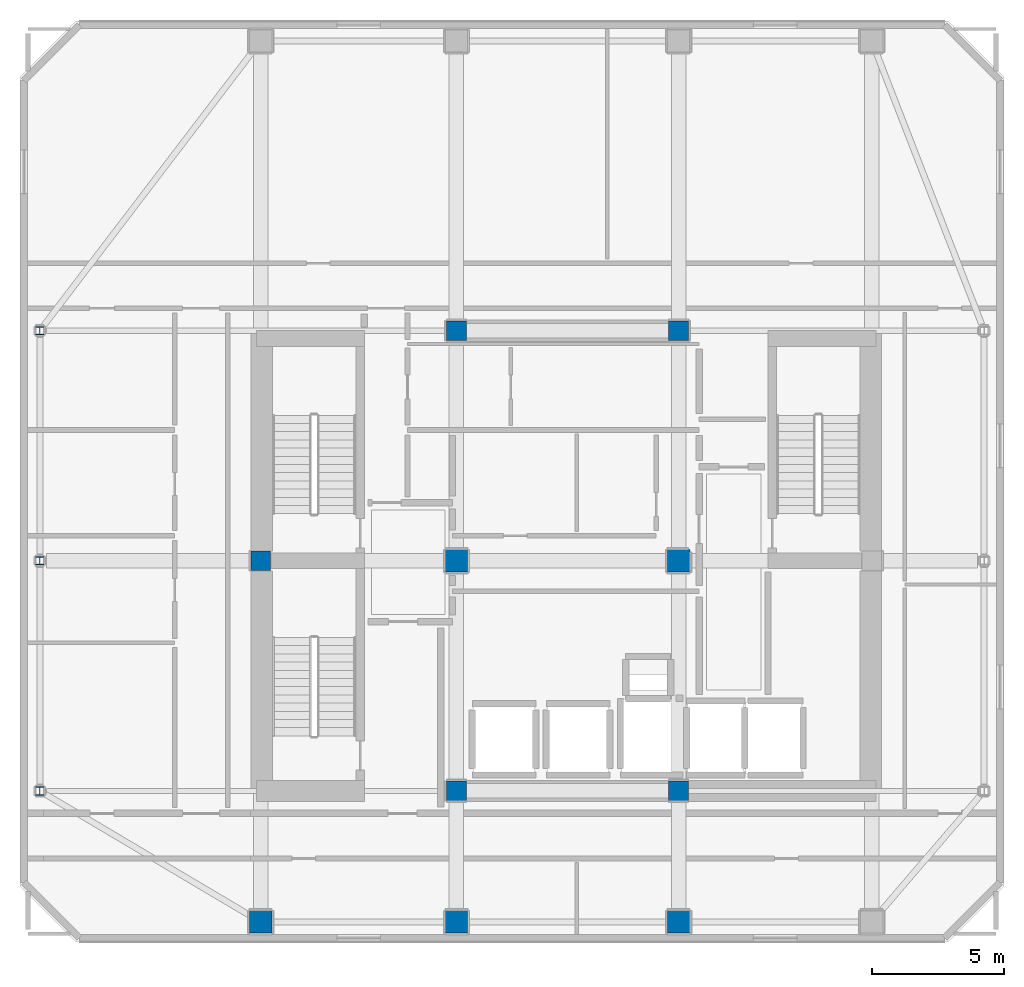
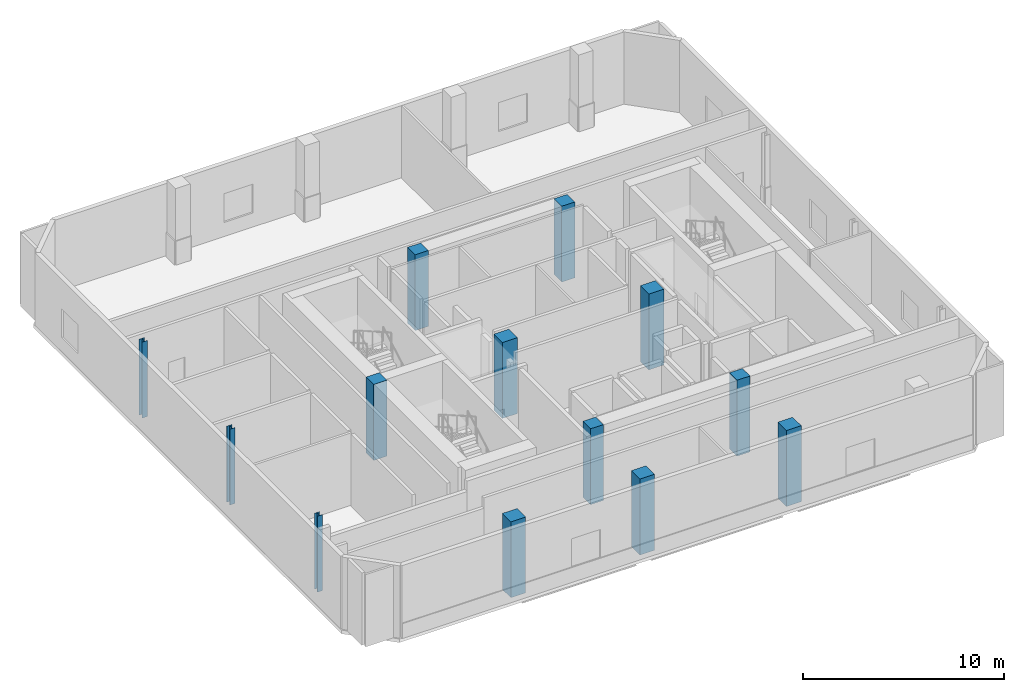
# One storey, part 1 of 10: 13 columns.
"""IFC4 building model written with IfcOpenShell, lengths in metres."""

from ifc_helpers import new_model, si_unit, direction, frame, origin, origin_2d, place, context, subcontext, project, spatial, rectangle, i_section, extrude, material, material_profile, profile_set, type_object, element, save


model = new_model("IFC4")

# Units and contexts
model_context = context("Model", 3, precision=1e-05, world=origin(), true_north=direction((0.0, 1.0)))
body_context = subcontext(model_context, "Body", "Model", "MODEL_VIEW")
ifc_project = project(units=[si_unit("LENGTHUNIT", "METRE"), si_unit("AREAUNIT", "SQUARE_METRE"), si_unit("VOLUMEUNIT", "CUBIC_METRE"), si_unit("PLANEANGLEUNIT", "RADIAN"), si_unit("MASSUNIT", "GRAM", prefix="KILO")], contexts=[model_context])

# Site, building, storey
site_placement = place(None, origin())
site = spatial("IfcSite", under=ifc_project, at=site_placement, CompositionType="ELEMENT")
building_placement = place(site_placement, origin())
building = spatial("IfcBuilding", under=site, at=building_placement, Name="Solanera Arch Residences", CompositionType="ELEMENT")
storey_placement = place(building_placement, frame((0.0, 0.0, 268.8798828125)))
storey = spatial("IfcBuildingStorey", under=building, at=storey_placement, Name="L78", CompositionType="ELEMENT", Elevation=268.8798828125)

# Columns
ifc_material_1 = material(Name="Concrete C40/50 (f'c = 45 MPa)", Category="concrete")
ifc_material_profile_1 = material_profile(ifc_material_1, rectangle(XDim=0.75, YDim=0.75, at=origin_2d()))
ifc_profile_set_1 = profile_set([ifc_material_profile_1], Name="Concrete C40/50 (f'c = 45 MPa)")
column_type_1 = type_object("IfcColumnType", Name="Structural Column RC-COL-750X750", PredefinedType="COLUMN", material=ifc_profile_set_1)
for number, where, z_axis, x_axis, name in (
    (1, (20.800048828125, 22.0, 0.0), (0.0, 0.0, 1.0), (1.0, 0.0, 0.0), "COL-L78-CB-SW"),
    (2, (29.199951171875, 22.0, 0.0), (0.0, 0.0, 1.0), (1.0, 0.0, 0.0), "COL-L78-CB-SE"),
    (3, (20.800048828125, 39.39990234375, 0.0), (0.0, 0.0, 1.0), (1.0, 0.0, 0.0), "COL-L78-CB-NW"),
    (4, (29.199951171875, 39.39990234375, 0.0), (0.0, 0.0, 1.0), (1.0, 0.0, 0.0), "COL-L78-CB-NE"),
    (5, (13.39990234375, 30.699951171875, 0.0), (0.0, 0.0, 1.0), (1.0, 0.0, 0.0), "COL-L78-CB-WW"),
):
    element("IfcColumn", number, at=place(storey_placement, frame(where, z_axis=z_axis, x_axis=x_axis)), inside=storey, type_object=column_type_1, Name=name, PredefinedType="COLUMN", context=body_context, shape_type="SweptSolid", body=[
        extrude(rectangle(XDim=0.75, YDim=0.75, at=origin_2d()), origin(), (0.0, 0.0, 1.0), 4.60009765625),
    ])
ifc_material_2 = material(Name="Concrete C40/50 (f'c = 45 MPa)", Category="concrete")
ifc_material_profile_2 = material_profile(ifc_material_2, rectangle(XDim=0.85009765625, YDim=0.85009765625, at=origin_2d()))
ifc_profile_set_2 = profile_set([ifc_material_profile_2], Name="Concrete C40/50 (f'c = 45 MPa)")
column_type_2 = type_object("IfcColumnType", Name="Structural Column RC-COL-850X850", PredefinedType="COLUMN", material=ifc_profile_set_2)
for number, where, z_axis, x_axis, name in (
    (6, (20.800048828125, 30.699951171875, 0.0), (0.0, 0.0, 1.0), (1.0, 0.0, 0.0), "COL-L78-CORE-W"),
    (7, (29.199951171875, 30.699951171875, 0.0), (0.0, 0.0, 1.0), (1.0, 0.0, 0.0), "COL-L78-CORE-E"),
    (8, (13.39990234375, 17.050048828125, 0.0), (0.0, 0.0, 1.0), (1.0, 0.0, 0.0), "COL-L78-TWR-01"),
    (9, (20.800048828125, 17.050048828125, 0.0), (0.0, 0.0, 1.0), (1.0, 0.0, 0.0), "COL-L78-TWR-03"),
    (10, (29.199951171875, 17.050048828125, 0.0), (0.0, 0.0, 1.0), (1.0, 0.0, 0.0), "COL-L78-TWR-05"),
):
    element("IfcColumn", number, at=place(storey_placement, frame(where, z_axis=z_axis, x_axis=x_axis)), inside=storey, type_object=column_type_2, Name=name, PredefinedType="COLUMN", context=body_context, shape_type="SweptSolid", body=[
        extrude(rectangle(XDim=0.85009765625, YDim=0.85009765625, at=origin_2d()), origin(), (0.0, 0.0, 1.0), 4.60009765625),
    ])
ifc_material_3 = material(Name="Steel S355 (ASTM A992 / A572 Grade 50)", Category="steel")
ifc_material_profile_3 = material_profile(ifc_material_3, i_section(OverallWidth=0.304931640625, OverallDepth=0.30810546875, WebThickness=0.010009765625, FlangeThickness=0.015380859375, at=origin_2d()))
ifc_profile_set_3 = profile_set([ifc_material_profile_3], Name="Steel S355 (ASTM A992 / A572 Grade 50)")
column_type_3 = type_object("IfcColumnType", Name="Structural Column W310X97", PredefinedType="COLUMN", material=ifc_profile_set_3)
for number, where, z_axis, x_axis, name in (
    (11, (5.050048828125, 22.0, 0.0), (0.0, 0.0, 1.0), (1.0, 0.0, 0.0), "COL-L78-TWR-09"),
    (12, (5.050048828125, 30.699951171875, 0.0), (0.0, 0.0, 1.0), (1.0, 0.0, 0.0), "COL-L78-TWR-11"),
    (13, (5.050048828125, 39.39990234375, 0.0), (0.0, 0.0, 1.0), (1.0, 0.0, 0.0), "COL-L78-TWR-13"),
):
    element("IfcColumn", number, at=place(storey_placement, frame(where, z_axis=z_axis, x_axis=x_axis)), inside=storey, type_object=column_type_3, Name=name, PredefinedType="COLUMN", context=body_context, shape_type="SweptSolid", body=[
        extrude(i_section(OverallWidth=0.304931640625, OverallDepth=0.30810546875, WebThickness=0.010009765625, FlangeThickness=0.015380859375, at=origin_2d()), origin(), (0.0, 0.0, 1.0), 4.60009765625),
    ])

save(model, "model.ifc")
